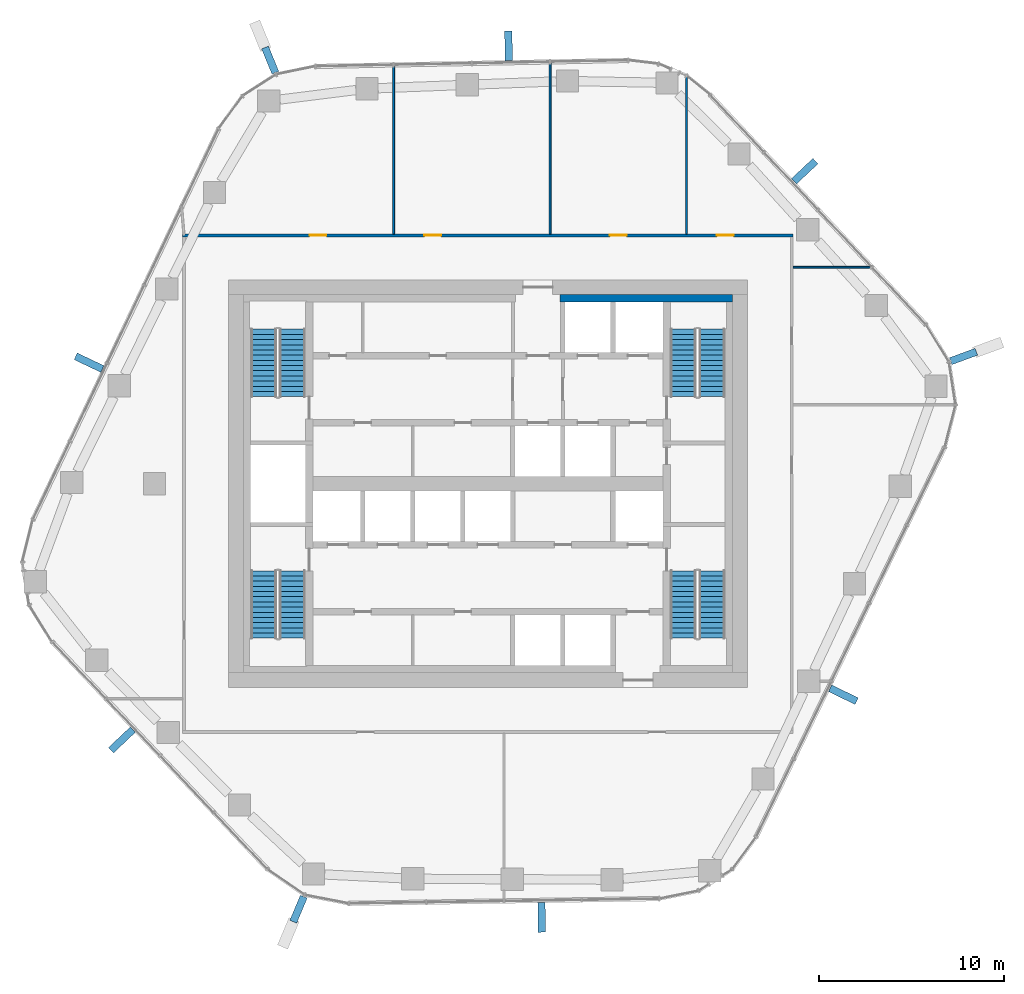
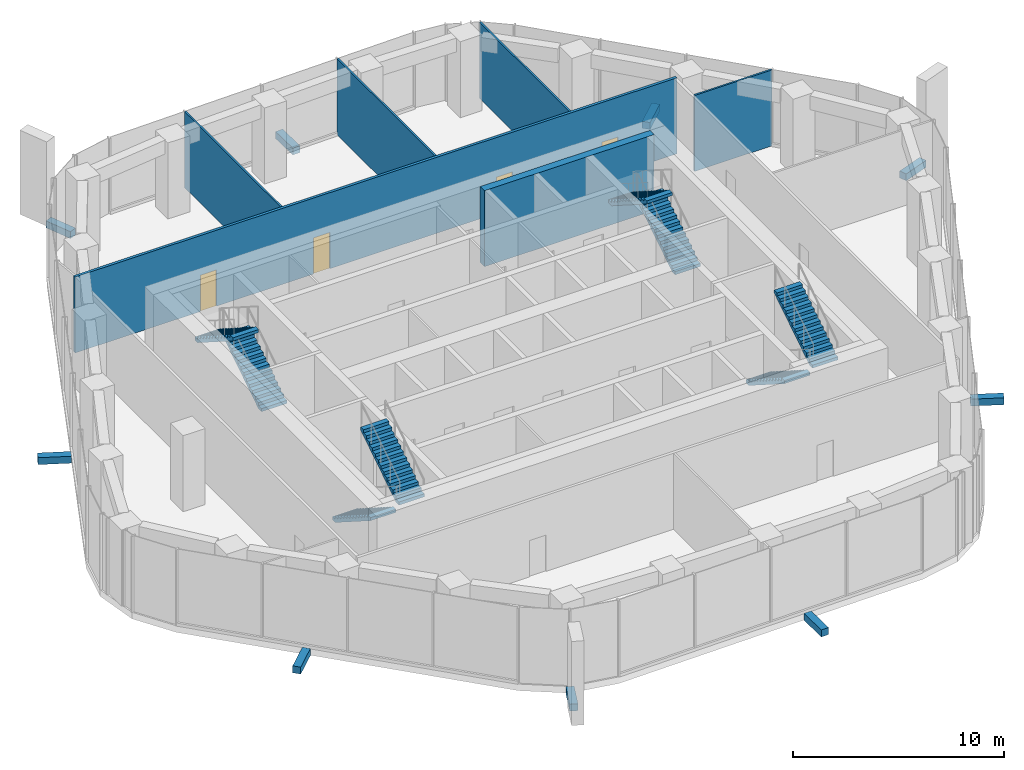
# One storey, part 13 of 16: 9 discrete accessories, 8 stair flights, 6 walls, 4 doors, 4 openings, 4 elements without a shape of their own.
"""IFC4 building model written with IfcOpenShell, lengths in metres."""

from ifc_helpers import new_model, si_unit, direction, frame, frame_2d, origin, origin_2d, place, context, subcontext, project, spatial, polyline, rectangle, outline, extrude, material, layer, layer_set, type_object, element, fill, aggregate, save


model = new_model("IFC4")

# Units and contexts
model_context = context("Model", 3, precision=1e-05, world=origin(), true_north=direction((0.0, 1.0)))
body_context = subcontext(model_context, "Body", "Model", "MODEL_VIEW")
ifc_project = project(units=[si_unit("LENGTHUNIT", "METRE"), si_unit("AREAUNIT", "SQUARE_METRE"), si_unit("VOLUMEUNIT", "CUBIC_METRE"), si_unit("PLANEANGLEUNIT", "RADIAN"), si_unit("MASSUNIT", "GRAM", prefix="KILO")], contexts=[model_context])

# Site, building, storey
site_placement = place(None, origin())
site = spatial("IfcSite", under=ifc_project, at=site_placement, CompositionType="ELEMENT")
building_placement = place(site_placement, origin())
building = spatial("IfcBuilding", under=site, at=building_placement, Name="Dongbaek Canopy Tower", CompositionType="ELEMENT")
storey_placement = place(building_placement, frame((0.0, 0.0, 215.60009765625)))
storey = spatial("IfcBuildingStorey", under=building, at=storey_placement, Name="L45", CompositionType="ELEMENT", Elevation=215.60009765625)

# Wall
ifc_material_1 = material(Name="Concrete C60/75", Category="concrete")
ifc_layer_1 = layer(ifc_material_1, 0.39990234375)
ifc_layer_set_1 = layer_set([ifc_layer_1], Name="Core wall lining 400 Concrete C60/75")
wall_type_1 = type_object("IfcWallType", Name="Core wall lining 400 Concrete C60/75", PredefinedType="SHEAR", material=ifc_layer_set_1)
wall_1_placement = place(storey_placement, frame((3.89990234375, 10.0, 0.0), z_axis=(0.0, 0.0, 1.0), x_axis=(1.0, 0.0, 0.0)))
element("IfcWall", 1, at=wall_1_placement, inside=storey, type_object=wall_type_1, Name="Core wall lining", PredefinedType="SHEAR", context=body_context, shape_type="SweptSolid", body=[
    extrude(rectangle(XDim=9.300048828125, YDim=0.39990234375, at=frame_2d((4.64990234375, 0.0))), origin(), (0.0, 0.0, 1.0), 4.39990234375),
])

# Wall, openings, doors
ifc_material_2 = material(Name="Gypsum board partition, steel stud, 2 x 15 mm fire board", Category="steel")
ifc_layer_2 = layer(ifc_material_2, 0.14990234375)
ifc_layer_set_2 = layer_set([ifc_layer_2], Name="Fire-rated partition 150 gypsum board")
wall_type_2 = type_object("IfcWallType", Name="Fire-rated partition 150 gypsum board", PredefinedType="PARTITIONING", material=ifc_layer_set_2)
wall_2_placement = place(storey_placement, frame((-16.47509765625, 13.39990234375, 0.0), z_axis=(0.0, 0.0, 1.0), x_axis=(1.0, 0.0, 0.0)))
wall_2 = element("IfcWall", 2, at=wall_2_placement, inside=storey, type_object=wall_type_2, Name="Corridor partition", PredefinedType="PARTITIONING", context=body_context, shape_type="SweptSolid", body=[
    extrude(rectangle(XDim=32.9501953125, YDim=0.14990234375, at=frame_2d((16.47509765625, 0.0))), origin(), (0.0, 0.0, 1.0), 4.39990234375),
])
opening_1_placement = place(wall_2_placement, frame((28.8388671875, 0.0, 0.0)))
opening_1 = element("IfcOpeningElement", 3, at=opening_1_placement, cuts=wall_2, Name="Opening L45-D006", PredefinedType="OPENING", context=body_context, shape_type="SweptSolid", body=[
    extrude(rectangle(XDim=0.89990234375, YDim=2.10009765625, at=frame_2d((0.449951171875, 1.050048828125))), frame((0.0, 0.0849609375, 0.0), z_axis=(0.0, -1.0, 0.0), x_axis=(1.0, 0.0, 0.0)), (0.0, 0.0, 1.0), 0.169921875),
])
opening_2_placement = place(wall_2_placement, frame((23.0625, 0.0, 0.0)))
opening_2 = element("IfcOpeningElement", 4, at=opening_2_placement, cuts=wall_2, Name="Opening L45-D007", PredefinedType="OPENING", context=body_context, shape_type="SweptSolid", body=[
    extrude(rectangle(XDim=0.89990234375, YDim=2.10009765625, at=frame_2d((0.449951171875, 1.050048828125))), frame((0.0, 0.0849609375, 0.0), z_axis=(0.0, -1.0, 0.0), x_axis=(1.0, 0.0, 0.0)), (0.0, 0.0, 1.0), 0.169921875),
])
opening_3_placement = place(wall_2_placement, frame((13.04736328125, 0.0, 0.0)))
opening_3 = element("IfcOpeningElement", 5, at=opening_3_placement, cuts=wall_2, Name="Opening L45-D008", PredefinedType="OPENING", context=body_context, shape_type="SweptSolid", body=[
    extrude(rectangle(XDim=0.89990234375, YDim=2.10009765625, at=frame_2d((0.449951171875, 1.050048828125))), frame((0.0, 0.0849609375, 0.0), z_axis=(0.0, -1.0, 0.0), x_axis=(1.0, 0.0, 0.0)), (0.0, 0.0, 1.0), 0.169921875),
])
opening_4_placement = place(wall_2_placement, frame((6.85400390625, 0.0, 0.0)))
opening_4 = element("IfcOpeningElement", 6, at=opening_4_placement, cuts=wall_2, Name="Opening L45-D009", PredefinedType="OPENING", context=body_context, shape_type="SweptSolid", body=[
    extrude(rectangle(XDim=0.89990234375, YDim=2.10009765625, at=frame_2d((0.449951171875, 1.050048828125))), frame((0.0, 0.0849609375, 0.0), z_axis=(0.0, -1.0, 0.0), x_axis=(1.0, 0.0, 0.0)), (0.0, 0.0, 1.0), 0.169921875),
])
ifc_material_3 = material(Name="Timber veneered door leaf", Category="wood")
door_type = type_object("IfcDoorType", Name="Room door 900 x 2100", OperationType="SINGLE_SWING_LEFT", PredefinedType="DOOR", material=ifc_material_3)
door_1_placement = place(opening_1_placement, origin())
door_1 = element("IfcDoor", 7, at=door_1_placement, inside=storey, type_object=door_type, Name="Door L45-D006", OperationType="SINGLE_SWING_LEFT", OverallHeight=2.10009765625, OverallWidth=0.89990234375, PredefinedType="DOOR", context=body_context, shape_type="SweptSolid", body=[
    extrude(rectangle(XDim=0.89990234375, YDim=2.10009765625, at=frame_2d((0.449951171875, 1.050048828125))), frame((0.0, 0.02490234375, 0.0), z_axis=(0.0, -1.0, 0.0), x_axis=(1.0, 0.0, 0.0)), (0.0, 0.0, 1.0), 0.050048828125),
])
fill(opening_1, door_1)
door_2_placement = place(opening_2_placement, origin())
door_2 = element("IfcDoor", 8, at=door_2_placement, inside=storey, type_object=door_type, Name="Door L45-D007", OperationType="SINGLE_SWING_RIGHT", OverallHeight=2.10009765625, OverallWidth=0.89990234375, PredefinedType="DOOR", context=body_context, shape_type="SweptSolid", body=[
    extrude(rectangle(XDim=0.89990234375, YDim=2.10009765625, at=frame_2d((0.449951171875, 1.050048828125))), frame((0.0, 0.02490234375, 0.0), z_axis=(0.0, -1.0, 0.0), x_axis=(1.0, 0.0, 0.0)), (0.0, 0.0, 1.0), 0.050048828125),
])
fill(opening_2, door_2)
door_3_placement = place(opening_3_placement, origin())
door_3 = element("IfcDoor", 9, at=door_3_placement, inside=storey, type_object=door_type, Name="Door L45-D008", OperationType="SINGLE_SWING_LEFT", OverallHeight=2.10009765625, OverallWidth=0.89990234375, PredefinedType="DOOR", context=body_context, shape_type="SweptSolid", body=[
    extrude(rectangle(XDim=0.89990234375, YDim=2.10009765625, at=frame_2d((0.449951171875, 1.050048828125))), frame((0.0, 0.02490234375, 0.0), z_axis=(0.0, -1.0, 0.0), x_axis=(1.0, 0.0, 0.0)), (0.0, 0.0, 1.0), 0.050048828125),
])
fill(opening_3, door_3)
door_4_placement = place(opening_4_placement, origin())
door_4 = element("IfcDoor", 10, at=door_4_placement, inside=storey, type_object=door_type, Name="Door L45-D009", OperationType="SINGLE_SWING_RIGHT", OverallHeight=2.10009765625, OverallWidth=0.89990234375, PredefinedType="DOOR", context=body_context, shape_type="SweptSolid", body=[
    extrude(rectangle(XDim=0.89990234375, YDim=2.10009765625, at=frame_2d((0.449951171875, 1.050048828125))), frame((0.0, 0.02490234375, 0.0), z_axis=(0.0, -1.0, 0.0), x_axis=(1.0, 0.0, 0.0)), (0.0, 0.0, 1.0), 0.050048828125),
])
fill(opening_4, door_4)

# Walls
ifc_material_4 = material(Name="Gypsum board partition, steel stud, 2 x 12.5 mm board", Category="steel")
ifc_layer_3 = layer(ifc_material_4, 0.10009765625)
ifc_layer_set_3 = layer_set([ifc_layer_3], Name="Partition 100 gypsum board")
wall_type_3 = type_object("IfcWallType", Name="Partition 100 gypsum board", PredefinedType="PARTITIONING", material=ifc_layer_set_3)
wall_3_placement = place(storey_placement, frame((16.47509765625, 11.68603515625, 0.0), z_axis=(0.0, 0.0, 1.0), x_axis=(1.0, 0.0, 0.0)))
element("IfcWall", 11, at=wall_3_placement, inside=storey, type_object=wall_type_3, Name="Partition", PredefinedType="PARTITIONING", context=body_context, shape_type="SweptSolid", body=[
    extrude(rectangle(XDim=4.236572265625, YDim=0.10009765625, at=frame_2d((2.1181640625, 0.0))), origin(), (0.0, 0.0, 1.0), 4.39990234375),
])
wall_4_placement = place(storey_placement, frame((10.718017578125, 13.47509765625, 0.0), z_axis=(0.0, 0.0, 1.0), x_axis=(0.0, 1.0, 0.0)))
element("IfcWall", 12, at=wall_4_placement, inside=storey, type_object=wall_type_3, Name="Partition", PredefinedType="PARTITIONING", context=body_context, shape_type="SweptSolid", body=[
    extrude(rectangle(XDim=8.52197265625, YDim=0.10009765625, at=frame_2d((4.260986328125, 0.0))), origin(), (0.0, 0.0, 1.0), 4.39990234375),
])
wall_5_placement = place(storey_placement, frame((3.35693359375, 13.47509765625, 0.0), z_axis=(0.0, 0.0, 1.0), x_axis=(0.0, 1.0, 0.0)))
element("IfcWall", 13, at=wall_5_placement, inside=storey, type_object=wall_type_3, Name="Partition", PredefinedType="PARTITIONING", context=body_context, shape_type="SweptSolid", body=[
    extrude(rectangle(XDim=9.27978515625, YDim=0.10009765625, at=frame_2d((4.639892578125, 0.0))), origin(), (0.0, 0.0, 1.0), 4.39990234375),
])
wall_6_placement = place(storey_placement, frame((-5.089111328125, 13.47509765625, 0.0), z_axis=(0.0, 0.0, 1.0), x_axis=(0.0, 1.0, 0.0)))
element("IfcWall", 14, at=wall_6_placement, inside=storey, type_object=wall_type_3, Name="Partition", PredefinedType="PARTITIONING", context=body_context, shape_type="SweptSolid", body=[
    extrude(rectangle(XDim=9.116943359375, YDim=0.10009765625, at=frame_2d((4.55859375, 0.0))), origin(), (0.0, 0.0, 1.0), 4.39990234375),
])

# Stair, stair flights
ifc_material_5 = material(Name="Concrete C40/50", Category="concrete")
stair_type = type_object("IfcStairType", Name="Core exit stair", PredefinedType="HALF_TURN_STAIR", material=ifc_material_5)
stair_1_placement = place(storey_placement, origin())
stair_1 = element("IfcStair", 15, at=stair_1_placement, inside=storey, type_object=stair_type, Name="L45 exit stair A", PredefinedType="HALF_TURN_STAIR")
ifc_material_6 = material(Name="Concrete C40/50", Category="concrete")
ifc_layer_4 = layer(ifc_material_6, 0.14990234375)
ifc_layer_set_4 = layer_set([ifc_layer_4], Name="Core stair flight 150 waist")
stair_flight_type = type_object("IfcStairFlightType", Name="Core stair flight 150 waist", PredefinedType="STRAIGHT", material=ifc_layer_set_4)
stair_flight_1_placement = place(storey_placement, frame((12.10009765625, 4.699951171875, 0.0), z_axis=(0.0, 0.0, 1.0), x_axis=(0.0, 1.0, 0.0)))
stair_flight_1 = element("IfcStairFlight", 16, at=stair_flight_1_placement, type_object=stair_flight_type, Name="ST-A flight 1", NumberOfRisers=14, NumberOfTreads=13, PredefinedType="STRAIGHT", RiserHeight=0.178571429, TreadLength=0.28, context=body_context, shape_type="SweptSolid", body=[
    extrude(outline(polyline([(0.0, 0.0), (0.0, 0.178466796875), (0.280029296875, 0.178466796875), (0.280029296875, 0.357177734375), (0.56005859375, 0.357177734375), (0.56005859375, 0.53564453125), (0.840087890625, 0.53564453125), (0.840087890625, 0.71435546875), (1.1201171875, 0.71435546875), (1.1201171875, 0.892822265625), (1.39990234375, 0.892822265625), (1.39990234375, 1.071533203125), (1.679931640625, 1.071533203125), (1.679931640625, 1.25), (1.9599609375, 1.25), (1.9599609375, 1.428466796875), (2.239990234375, 1.428466796875), (2.239990234375, 1.607177734375), (2.52001953125, 1.607177734375), (2.52001953125, 1.78564453125), (2.800048828125, 1.78564453125), (2.800048828125, 1.96435546875), (3.080078125, 1.96435546875), (3.080078125, 2.142822265625), (3.360107421875, 2.142822265625), (3.360107421875, 2.321533203125), (3.639892578125, 2.321533203125), (3.639892578125, 2.5), (3.639892578125, 2.1435546875), (0.27880859375, 0.0), (0.0, 0.0)])), frame((0.0, 0.699951171875, 0.0), z_axis=(0.0, -1.0, 0.0), x_axis=(1.0, 0.0, 0.0)), (0.0, 0.0, 1.0), 1.39990234375),
])
stair_flight_2_placement = place(storey_placement, frame((10.550048828125, 8.340087890625, 2.5), z_axis=(0.0, 0.0, 1.0), x_axis=(0.0, -1.0, 0.0)))
stair_flight_2 = element("IfcStairFlight", 17, at=stair_flight_2_placement, type_object=stair_flight_type, Name="ST-A flight 2", NumberOfRisers=14, NumberOfTreads=13, PredefinedType="STRAIGHT", RiserHeight=0.178571429, TreadLength=0.28, context=body_context, shape_type="SweptSolid", body=[
    extrude(outline(polyline([(0.0, 0.0), (0.0, 0.178466796875), (0.280029296875, 0.178466796875), (0.280029296875, 0.357177734375), (0.56005859375, 0.357177734375), (0.56005859375, 0.53564453125), (0.840087890625, 0.53564453125), (0.840087890625, 0.71435546875), (1.1201171875, 0.71435546875), (1.1201171875, 0.892822265625), (1.39990234375, 0.892822265625), (1.39990234375, 1.071533203125), (1.679931640625, 1.071533203125), (1.679931640625, 1.25), (1.9599609375, 1.25), (1.9599609375, 1.428466796875), (2.239990234375, 1.428466796875), (2.239990234375, 1.607177734375), (2.52001953125, 1.607177734375), (2.52001953125, 1.78564453125), (2.800048828125, 1.78564453125), (2.800048828125, 1.96435546875), (3.080078125, 1.96435546875), (3.080078125, 2.142822265625), (3.360107421875, 2.142822265625), (3.360107421875, 2.321533203125), (3.639892578125, 2.321533203125), (3.639892578125, 2.5), (3.639892578125, 2.1435546875), (0.27880859375, 0.0), (0.0, 0.0)])), frame((0.0, 0.699951171875, 0.0), z_axis=(0.0, -1.0, 0.0), x_axis=(1.0, 0.0, 0.0)), (0.0, 0.0, 1.0), 1.39990234375),
])
aggregate(stair_1, [stair_flight_1, stair_flight_2])

stair_2_placement = place(storey_placement, origin())
stair_2 = element("IfcStair", 18, at=stair_2_placement, inside=storey, type_object=stair_type, Name="L45 exit stair C", PredefinedType="HALF_TURN_STAIR")
stair_flight_3_placement = place(storey_placement, frame((-10.550048828125, 4.699951171875, 0.0), z_axis=(0.0, 0.0, 1.0), x_axis=(0.0, 1.0, 0.0)))
stair_flight_3 = element("IfcStairFlight", 19, at=stair_flight_3_placement, type_object=stair_flight_type, Name="ST-C flight 1", NumberOfRisers=14, NumberOfTreads=13, PredefinedType="STRAIGHT", RiserHeight=0.178571429, TreadLength=0.28, context=body_context, shape_type="SweptSolid", body=[
    extrude(outline(polyline([(0.0, 0.0), (0.0, 0.178466796875), (0.280029296875, 0.178466796875), (0.280029296875, 0.357177734375), (0.56005859375, 0.357177734375), (0.56005859375, 0.53564453125), (0.840087890625, 0.53564453125), (0.840087890625, 0.71435546875), (1.1201171875, 0.71435546875), (1.1201171875, 0.892822265625), (1.39990234375, 0.892822265625), (1.39990234375, 1.071533203125), (1.679931640625, 1.071533203125), (1.679931640625, 1.25), (1.9599609375, 1.25), (1.9599609375, 1.428466796875), (2.239990234375, 1.428466796875), (2.239990234375, 1.607177734375), (2.52001953125, 1.607177734375), (2.52001953125, 1.78564453125), (2.800048828125, 1.78564453125), (2.800048828125, 1.96435546875), (3.080078125, 1.96435546875), (3.080078125, 2.142822265625), (3.360107421875, 2.142822265625), (3.360107421875, 2.321533203125), (3.639892578125, 2.321533203125), (3.639892578125, 2.5), (3.639892578125, 2.1435546875), (0.27880859375, 0.0), (0.0, 0.0)])), frame((0.0, 0.699951171875, 0.0), z_axis=(0.0, -1.0, 0.0), x_axis=(1.0, 0.0, 0.0)), (0.0, 0.0, 1.0), 1.39990234375),
])
stair_flight_4_placement = place(storey_placement, frame((-12.10009765625, 8.340087890625, 2.5), z_axis=(0.0, 0.0, 1.0), x_axis=(0.0, -1.0, 0.0)))
stair_flight_4 = element("IfcStairFlight", 20, at=stair_flight_4_placement, type_object=stair_flight_type, Name="ST-C flight 2", NumberOfRisers=14, NumberOfTreads=13, PredefinedType="STRAIGHT", RiserHeight=0.178571429, TreadLength=0.28, context=body_context, shape_type="SweptSolid", body=[
    extrude(outline(polyline([(0.0, 0.0), (0.0, 0.178466796875), (0.280029296875, 0.178466796875), (0.280029296875, 0.357177734375), (0.56005859375, 0.357177734375), (0.56005859375, 0.53564453125), (0.840087890625, 0.53564453125), (0.840087890625, 0.71435546875), (1.1201171875, 0.71435546875), (1.1201171875, 0.892822265625), (1.39990234375, 0.892822265625), (1.39990234375, 1.071533203125), (1.679931640625, 1.071533203125), (1.679931640625, 1.25), (1.9599609375, 1.25), (1.9599609375, 1.428466796875), (2.239990234375, 1.428466796875), (2.239990234375, 1.607177734375), (2.52001953125, 1.607177734375), (2.52001953125, 1.78564453125), (2.800048828125, 1.78564453125), (2.800048828125, 1.96435546875), (3.080078125, 1.96435546875), (3.080078125, 2.142822265625), (3.360107421875, 2.142822265625), (3.360107421875, 2.321533203125), (3.639892578125, 2.321533203125), (3.639892578125, 2.5), (3.639892578125, 2.1435546875), (0.27880859375, 0.0), (0.0, 0.0)])), frame((0.0, 0.699951171875, 0.0), z_axis=(0.0, -1.0, 0.0), x_axis=(1.0, 0.0, 0.0)), (0.0, 0.0, 1.0), 1.39990234375),
])
aggregate(stair_2, [stair_flight_3, stair_flight_4])

stair_3_placement = place(storey_placement, origin())
stair_3 = element("IfcStair", 21, at=stair_3_placement, inside=storey, type_object=stair_type, Name="L45 exit stair B", PredefinedType="HALF_TURN_STAIR")
stair_flight_5_placement = place(storey_placement, frame((10.550048828125, -4.699951171875, 0.0), z_axis=(0.0, 0.0, 1.0), x_axis=(0.0, -1.0, 0.0)))
stair_flight_5 = element("IfcStairFlight", 22, at=stair_flight_5_placement, type_object=stair_flight_type, Name="ST-B flight 1", NumberOfRisers=14, NumberOfTreads=13, PredefinedType="STRAIGHT", RiserHeight=0.178571429, TreadLength=0.28, context=body_context, shape_type="SweptSolid", body=[
    extrude(outline(polyline([(0.0, 0.0), (0.0, 0.178466796875), (0.280029296875, 0.178466796875), (0.280029296875, 0.357177734375), (0.56005859375, 0.357177734375), (0.56005859375, 0.53564453125), (0.840087890625, 0.53564453125), (0.840087890625, 0.71435546875), (1.1201171875, 0.71435546875), (1.1201171875, 0.892822265625), (1.39990234375, 0.892822265625), (1.39990234375, 1.071533203125), (1.679931640625, 1.071533203125), (1.679931640625, 1.25), (1.9599609375, 1.25), (1.9599609375, 1.428466796875), (2.239990234375, 1.428466796875), (2.239990234375, 1.607177734375), (2.52001953125, 1.607177734375), (2.52001953125, 1.78564453125), (2.800048828125, 1.78564453125), (2.800048828125, 1.96435546875), (3.080078125, 1.96435546875), (3.080078125, 2.142822265625), (3.360107421875, 2.142822265625), (3.360107421875, 2.321533203125), (3.639892578125, 2.321533203125), (3.639892578125, 2.5), (3.639892578125, 2.1435546875), (0.27880859375, 0.0), (0.0, 0.0)])), frame((0.0, 0.699951171875, 0.0), z_axis=(0.0, -1.0, 0.0), x_axis=(1.0, 0.0, 0.0)), (0.0, 0.0, 1.0), 1.39990234375),
])
stair_flight_6_placement = place(storey_placement, frame((12.10009765625, -8.340087890625, 2.5), z_axis=(0.0, 0.0, 1.0), x_axis=(0.0, 1.0, 0.0)))
stair_flight_6 = element("IfcStairFlight", 23, at=stair_flight_6_placement, type_object=stair_flight_type, Name="ST-B flight 2", NumberOfRisers=14, NumberOfTreads=13, PredefinedType="STRAIGHT", RiserHeight=0.178571429, TreadLength=0.28, context=body_context, shape_type="SweptSolid", body=[
    extrude(outline(polyline([(0.0, 0.0), (0.0, 0.178466796875), (0.280029296875, 0.178466796875), (0.280029296875, 0.357177734375), (0.56005859375, 0.357177734375), (0.56005859375, 0.53564453125), (0.840087890625, 0.53564453125), (0.840087890625, 0.71435546875), (1.1201171875, 0.71435546875), (1.1201171875, 0.892822265625), (1.39990234375, 0.892822265625), (1.39990234375, 1.071533203125), (1.679931640625, 1.071533203125), (1.679931640625, 1.25), (1.9599609375, 1.25), (1.9599609375, 1.428466796875), (2.239990234375, 1.428466796875), (2.239990234375, 1.607177734375), (2.52001953125, 1.607177734375), (2.52001953125, 1.78564453125), (2.800048828125, 1.78564453125), (2.800048828125, 1.96435546875), (3.080078125, 1.96435546875), (3.080078125, 2.142822265625), (3.360107421875, 2.142822265625), (3.360107421875, 2.321533203125), (3.639892578125, 2.321533203125), (3.639892578125, 2.5), (3.639892578125, 2.1435546875), (0.27880859375, 0.0), (0.0, 0.0)])), frame((0.0, 0.699951171875, 0.0), z_axis=(0.0, -1.0, 0.0), x_axis=(1.0, 0.0, 0.0)), (0.0, 0.0, 1.0), 1.39990234375),
])
aggregate(stair_3, [stair_flight_5, stair_flight_6])

stair_4_placement = place(storey_placement, origin())
stair_4 = element("IfcStair", 24, at=stair_4_placement, inside=storey, type_object=stair_type, Name="L45 exit stair D", PredefinedType="HALF_TURN_STAIR")
stair_flight_7_placement = place(storey_placement, frame((-12.10009765625, -4.699951171875, 0.0), z_axis=(0.0, 0.0, 1.0), x_axis=(0.0, -1.0, 0.0)))
stair_flight_7 = element("IfcStairFlight", 25, at=stair_flight_7_placement, type_object=stair_flight_type, Name="ST-D flight 1", NumberOfRisers=14, NumberOfTreads=13, PredefinedType="STRAIGHT", RiserHeight=0.178571429, TreadLength=0.28, context=body_context, shape_type="SweptSolid", body=[
    extrude(outline(polyline([(0.0, 0.0), (0.0, 0.178466796875), (0.280029296875, 0.178466796875), (0.280029296875, 0.357177734375), (0.56005859375, 0.357177734375), (0.56005859375, 0.53564453125), (0.840087890625, 0.53564453125), (0.840087890625, 0.71435546875), (1.1201171875, 0.71435546875), (1.1201171875, 0.892822265625), (1.39990234375, 0.892822265625), (1.39990234375, 1.071533203125), (1.679931640625, 1.071533203125), (1.679931640625, 1.25), (1.9599609375, 1.25), (1.9599609375, 1.428466796875), (2.239990234375, 1.428466796875), (2.239990234375, 1.607177734375), (2.52001953125, 1.607177734375), (2.52001953125, 1.78564453125), (2.800048828125, 1.78564453125), (2.800048828125, 1.96435546875), (3.080078125, 1.96435546875), (3.080078125, 2.142822265625), (3.360107421875, 2.142822265625), (3.360107421875, 2.321533203125), (3.639892578125, 2.321533203125), (3.639892578125, 2.5), (3.639892578125, 2.1435546875), (0.27880859375, 0.0), (0.0, 0.0)])), frame((0.0, 0.699951171875, 0.0), z_axis=(0.0, -1.0, 0.0), x_axis=(1.0, 0.0, 0.0)), (0.0, 0.0, 1.0), 1.39990234375),
])
stair_flight_8_placement = place(storey_placement, frame((-10.550048828125, -8.340087890625, 2.5), z_axis=(0.0, 0.0, 1.0), x_axis=(0.0, 1.0, 0.0)))
stair_flight_8 = element("IfcStairFlight", 26, at=stair_flight_8_placement, type_object=stair_flight_type, Name="ST-D flight 2", NumberOfRisers=14, NumberOfTreads=13, PredefinedType="STRAIGHT", RiserHeight=0.178571429, TreadLength=0.28, context=body_context, shape_type="SweptSolid", body=[
    extrude(outline(polyline([(0.0, 0.0), (0.0, 0.178466796875), (0.280029296875, 0.178466796875), (0.280029296875, 0.357177734375), (0.56005859375, 0.357177734375), (0.56005859375, 0.53564453125), (0.840087890625, 0.53564453125), (0.840087890625, 0.71435546875), (1.1201171875, 0.71435546875), (1.1201171875, 0.892822265625), (1.39990234375, 0.892822265625), (1.39990234375, 1.071533203125), (1.679931640625, 1.071533203125), (1.679931640625, 1.25), (1.9599609375, 1.25), (1.9599609375, 1.428466796875), (2.239990234375, 1.428466796875), (2.239990234375, 1.607177734375), (2.52001953125, 1.607177734375), (2.52001953125, 1.78564453125), (2.800048828125, 1.78564453125), (2.800048828125, 1.96435546875), (3.080078125, 1.96435546875), (3.080078125, 2.142822265625), (3.360107421875, 2.142822265625), (3.360107421875, 2.321533203125), (3.639892578125, 2.321533203125), (3.639892578125, 2.5), (3.639892578125, 2.1435546875), (0.27880859375, 0.0), (0.0, 0.0)])), frame((0.0, 0.699951171875, 0.0), z_axis=(0.0, -1.0, 0.0), x_axis=(1.0, 0.0, 0.0)), (0.0, 0.0, 1.0), 1.39990234375),
])
aggregate(stair_4, [stair_flight_7, stair_flight_8])

# Discrete accessories
ifc_material_7 = material(Name="Galvanised steel S355 bracket", Category="steel")
discrete_accessory_type = type_object("IfcDiscreteAccessoryType", Name="Crease fin bracket BR3 400", PredefinedType="BRACKET", material=ifc_material_7)
discrete_accessory_1_placement = place(storey_placement, frame((19.189208984375, -11.389892578125, -0.39013671875), z_axis=(0.0, 0.0, 1.0), x_axis=(0.900119656429, -0.435642748258, 0.0)))
element("IfcDiscreteAccessory", 27, at=discrete_accessory_1_placement, inside=storey, type_object=discrete_accessory_type, Name="Crease fin bracket L45 F5", PredefinedType="BRACKET", context=body_context, shape_type="SweptSolid", body=[
    extrude(rectangle(XDim=1.587890625, YDim=0.39990234375, at=origin_2d()), origin(), (0.0, 0.0, 1.0), 0.39990234375),
])
discrete_accessory_2_placement = place(storey_placement, frame((17.10107421875, 16.86767578125, -0.39013671875), z_axis=(0.0, 0.0, 1.0), x_axis=(0.728941147352, 0.684576368053, 0.0)))
element("IfcDiscreteAccessory", 28, at=discrete_accessory_2_placement, inside=storey, type_object=discrete_accessory_type, Name="Crease fin bracket L45 F0", PredefinedType="BRACKET", context=body_context, shape_type="SweptSolid", body=[
    extrude(rectangle(XDim=1.590576171875, YDim=0.39990234375, at=origin_2d()), origin(), (0.0, 0.0, 1.0), 0.39990234375),
])
discrete_accessory_3_placement = place(storey_placement, frame((1.1171875, 23.62939453125, -0.39013671875), z_axis=(0.0, 0.0, 1.0), x_axis=(-0.019270732668, 0.999814302189, 0.0)))
element("IfcDiscreteAccessory", 29, at=discrete_accessory_3_placement, inside=storey, type_object=discrete_accessory_type, Name="Crease fin bracket L45 F1", PredefinedType="BRACKET", context=body_context, shape_type="SweptSolid", body=[
    extrude(rectangle(XDim=1.5947265625, YDim=0.39990234375, at=origin_2d()), origin(), (0.0, 0.0, 1.0), 0.39990234375),
])
discrete_accessory_4_placement = place(storey_placement, frame((-21.527099609375, 6.533203125, -0.39013671875), z_axis=(0.0, 0.0, 1.0), x_axis=(-0.903126317156, 0.429374958817, 0.0)))
element("IfcDiscreteAccessory", 30, at=discrete_accessory_4_placement, inside=storey, type_object=discrete_accessory_type, Name="Crease fin bracket L45 F2", PredefinedType="BRACKET", context=body_context, shape_type="SweptSolid", body=[
    extrude(rectangle(XDim=1.595458984375, YDim=0.39990234375, at=origin_2d()), origin(), (0.0, 0.0, 1.0), 0.39990234375),
])
discrete_accessory_5_placement = place(storey_placement, frame((-19.75341796875, -13.830810546875, -0.39013671875), z_axis=(0.0, 0.0, 1.0), x_axis=(-0.726094816376, -0.687594588135, 0.0)))
element("IfcDiscreteAccessory", 31, at=discrete_accessory_5_placement, inside=storey, type_object=discrete_accessory_type, Name="Crease fin bracket L45 F3", PredefinedType="BRACKET", context=body_context, shape_type="SweptSolid", body=[
    extrude(rectangle(XDim=1.6162109375, YDim=0.39990234375, at=origin_2d()), origin(), (0.0, 0.0, 1.0), 0.39990234375),
])
discrete_accessory_6_placement = place(storey_placement, frame((2.903076171875, -23.402587890625, -0.39013671875), z_axis=(0.0, 0.0, 1.0), x_axis=(0.015302449602, -0.999882910663, 0.0)))
element("IfcDiscreteAccessory", 32, at=discrete_accessory_6_placement, inside=storey, type_object=discrete_accessory_type, Name="Crease fin bracket L45 F4", PredefinedType="BRACKET", context=body_context, shape_type="SweptSolid", body=[
    extrude(rectangle(XDim=1.611083984375, YDim=0.39990234375, at=origin_2d()), origin(), (0.0, 0.0, 1.0), 0.39990234375),
])
for number, where, z_axis, x_axis, name in (
    (33, (25.673828125, 6.868408203125, -0.39013671875), (0.0, 0.0, 1.0), (0.938536406801, 0.345180261761, 0.0), "Corner fin bracket L45 K0"),
    (34, (-11.750244140625, 22.864990234375, -0.39013671875), (0.0, 0.0, 1.0), (-0.378811764133, 0.92547374212, 0.0), "Corner fin bracket L45 K2"),
    (35, (-10.22021484375, -22.9638671875, -0.39013671875), (0.0, 0.0, 1.0), (-0.388184809418, -0.921581550237, 0.0), "Corner fin bracket L45 K4"),
):
    element("IfcDiscreteAccessory", number, at=place(storey_placement, frame(where, z_axis=z_axis, x_axis=x_axis)), inside=storey, type_object=discrete_accessory_type, Name=name, PredefinedType="BRACKET", context=body_context, shape_type="SweptSolid", body=[
        extrude(rectangle(XDim=1.469970703125, YDim=0.39990234375, at=origin_2d()), origin(), (0.0, 0.0, 1.0), 0.39990234375),
    ])

save(model, "model.ifc")
